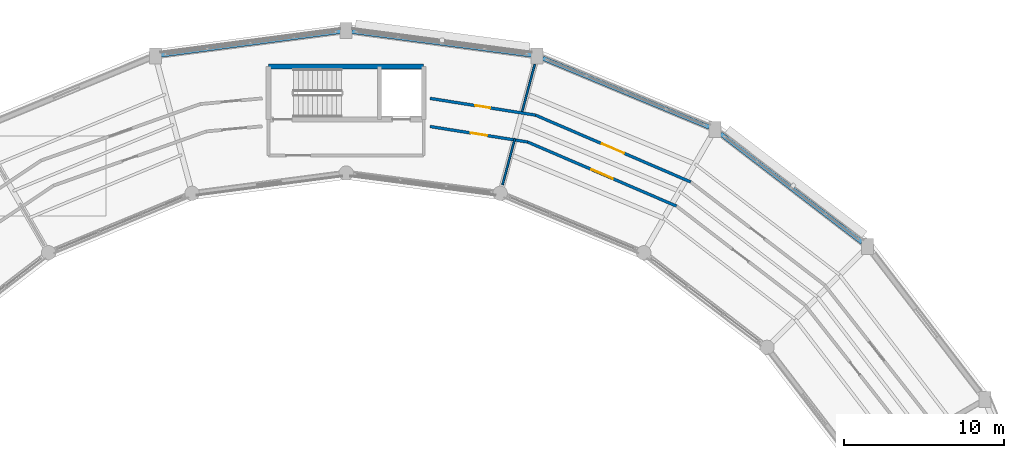
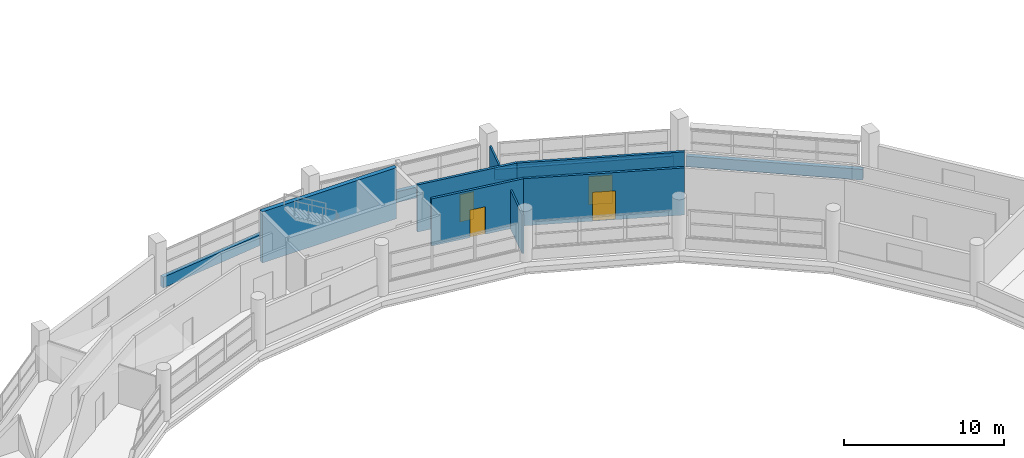
# One storey, part 95 of 108: 11 walls, 4 doors, 4 openings.
"""IFC4 building model written with IfcOpenShell, lengths in metres."""

from ifc_helpers import new_model, si_unit, direction, frame, frame_2d, origin, place, context, subcontext, project, spatial, rectangle, extrude, material, layer, layer_set, type_object, element, fill, save


model = new_model("IFC4")

# Units and contexts
model_context = context("Model", 3, precision=1e-05, world=origin(), true_north=direction((0.0, 1.0)))
body_context = subcontext(model_context, "Body", "Model", "MODEL_VIEW")
ifc_project = project(units=[si_unit("LENGTHUNIT", "METRE"), si_unit("AREAUNIT", "SQUARE_METRE"), si_unit("VOLUMEUNIT", "CUBIC_METRE"), si_unit("PLANEANGLEUNIT", "RADIAN"), si_unit("MASSUNIT", "GRAM", prefix="KILO")], contexts=[model_context])

# Site, building, storey
site_placement = place(None, origin())
site = spatial("IfcSite", under=ifc_project, at=site_placement, CompositionType="ELEMENT")
building_placement = place(site_placement, origin())
building = spatial("IfcBuilding", under=site, at=building_placement, Name="Vespera Passage Community Centre", CompositionType="ELEMENT")
storey_placement = place(building_placement, frame((0.0, 0.0, 12.60009765625)))
storey = spatial("IfcBuildingStorey", under=building, at=storey_placement, Name="L03", CompositionType="ELEMENT", Elevation=12.60009765625)

# Wall
ifc_material_1 = material(Name="Concrete f'c 45 MPa", Category="concrete")
ifc_layer_1 = layer(ifc_material_1, 0.300048828125)
ifc_layer_set_1 = layer_set([ifc_layer_1], Name="Concrete f'c 45 MPa")
wall_type_1 = type_object("IfcWallType", Name="WT-CORE-300I", PredefinedType="SHEAR", material=ifc_layer_set_1)
wall_1_placement = place(storey_placement, frame((73.155029296875, 109.35009765625, 0.0), z_axis=(0.0, 0.0, 1.0), x_axis=(1.0, 0.0, 0.0)))
element("IfcWall", 1, at=wall_1_placement, inside=storey, type_object=wall_type_1, Name="Core C4 L03 Shear Wall BACK", PredefinedType="SHEAR", context=body_context, shape_type="SweptSolid", body=[
    extrude(rectangle(XDim=9.68994140625, YDim=0.300048828125, at=frame_2d((4.844970703125, 0.0))), origin(), (0.0, 0.0, 1.0), 3.89990234375),
])

# Wall, opening, door
ifc_material_2 = material(Name="Gypsum board acoustic stud partition")
ifc_layer_2 = layer(ifc_material_2, 0.179931640625)
ifc_layer_set_2 = layer_set([ifc_layer_2], Name="Gypsum board acoustic stud partition")
wall_type_2 = type_object("IfcWallType", Name="WT-CORR-180I", PredefinedType="PARTITIONING", material=ifc_layer_set_2)
wall_2_placement = place(storey_placement, frame((99.534912109375, 102.14013671875, 0.0), z_axis=(0.0, 0.0, 1.0), x_axis=(-0.918408223104, 0.395634093241, 0.0)))
wall_2 = element("IfcWall", 2, at=wall_2_placement, inside=storey, type_object=wall_type_2, Name="L03 Interior Partition V4-L03-CO03.1", PredefinedType="PARTITIONING", context=body_context, shape_type="SweptSolid", body=[
    extrude(rectangle(XDim=10.563232421875, YDim=0.179931640625, at=frame_2d((5.28173828125, 0.0))), origin(), (0.0, 0.0, 1.0), 3.594970703125),
])
opening_1_placement = place(wall_2_placement, frame((4.53173828125, 0.0, 0.0)))
opening_1 = element("IfcOpeningElement", 3, at=opening_1_placement, cuts=wall_2, Name="Opening DT-CORR-150", PredefinedType="OPENING", context=body_context, shape_type="SweptSolid", body=[
    extrude(rectangle(XDim=1.5, YDim=2.14990234375, at=frame_2d((0.75, 1.074951171875))), frame((0.0, 0.099853515625, 0.0), z_axis=(0.0, -1.0, 0.0), x_axis=(1.0, 0.0, 0.0)), (0.0, 0.0, 1.0), 0.199951171875),
])
ifc_material_3 = material(Name="Painted hollow-metal acoustic door", Category="steel")
door_type_1 = type_object("IfcDoorType", Name="DT-CORR-150", OperationType="NOTDEFINED", PredefinedType="DOOR", material=ifc_material_3)
door_1_placement = place(opening_1_placement, origin())
door_1 = element("IfcDoor", 4, at=door_1_placement, inside=storey, type_object=door_type_1, Name="L03 Interior Door D-226", OperationType="SINGLE_SWING_RIGHT", OverallHeight=2.14990234375, OverallWidth=1.5, PredefinedType="DOOR", context=body_context, shape_type="SweptSolid", body=[
    extrude(rectangle(XDim=1.5, YDim=2.14990234375, at=frame_2d((0.75, 1.074951171875))), frame((0.0, 0.02490234375, 0.0), z_axis=(0.0, -1.0, 0.0), x_axis=(1.0, 0.0, 0.0)), (0.0, 0.0, 1.0), 0.050048828125),
])
fill(opening_1, door_1)

wall_3_placement = place(storey_placement, frame((98.648193359375, 100.63134765625, 0.0), z_axis=(0.0, 0.0, 1.0), x_axis=(-0.918401566602, 0.395649545004, 0.0)))
wall_3 = element("IfcWall", 5, at=wall_3_placement, inside=storey, type_object=wall_type_2, Name="L03 Interior Partition V4-L03-CI03.1", PredefinedType="PARTITIONING", context=body_context, shape_type="SweptSolid", body=[
    extrude(rectangle(XDim=10.12841796875, YDim=0.179931640625, at=frame_2d((5.064208984375, 0.0))), origin(), (0.0, 0.0, 1.0), 3.594970703125),
])
opening_2_placement = place(wall_3_placement, frame((4.339111328125, 0.0, 0.0)))
opening_2 = element("IfcOpeningElement", 6, at=opening_2_placement, cuts=wall_3, Name="Opening DT-PLANT-145", PredefinedType="OPENING", context=body_context, shape_type="SweptSolid", body=[
    extrude(rectangle(XDim=1.449951171875, YDim=2.199951171875, at=frame_2d((0.72509765625, 1.10009765625))), frame((0.0, 0.099853515625, 0.0), z_axis=(0.0, -1.0, 0.0), x_axis=(1.0, 0.0, 0.0)), (0.0, 0.0, 1.0), 0.199951171875),
])
ifc_material_4 = material(Name="Painted hollow-metal acoustic door", Category="steel")
door_type_2 = type_object("IfcDoorType", Name="DT-PLANT-145", OperationType="NOTDEFINED", PredefinedType="DOOR", material=ifc_material_4)
door_2_placement = place(opening_2_placement, origin())
door_2 = element("IfcDoor", 7, at=door_2_placement, inside=storey, type_object=door_type_2, Name="L03 Interior Door D-227", OperationType="SINGLE_SWING_LEFT", OverallHeight=2.199951171875, OverallWidth=1.449951171875, PredefinedType="DOOR", context=body_context, shape_type="SweptSolid", body=[
    extrude(rectangle(XDim=1.449951171875, YDim=2.199951171875, at=frame_2d((0.72509765625, 1.10009765625))), frame((0.0, 0.02490234375, 0.0), z_axis=(0.0, -1.0, 0.0), x_axis=(1.0, 0.0, 0.0)), (0.0, 0.0, 1.0), 0.050048828125),
])
fill(opening_2, door_2)

wall_4_placement = place(storey_placement, frame((89.83349609375, 106.3193359375, 0.0), z_axis=(0.0, 0.0, 1.0), x_axis=(-0.987609972019, 0.156928465131, 0.0)))
wall_4 = element("IfcWall", 8, at=wall_4_placement, inside=storey, type_object=wall_type_2, Name="L03 Interior Partition V4-L03-CO04.1", PredefinedType="PARTITIONING", context=body_context, shape_type="SweptSolid", body=[
    extrude(rectangle(XDim=6.671142578125, YDim=0.179931640625, at=frame_2d((3.33544921875, 0.0))), origin(), (0.0, 0.0, 1.0), 3.594970703125),
])
opening_3_placement = place(wall_4_placement, frame((2.860595703125, 0.0, 0.0)))
opening_3 = element("IfcOpeningElement", 9, at=opening_3_placement, cuts=wall_4, Name="Opening DT-CORR-95", PredefinedType="OPENING", context=body_context, shape_type="SweptSolid", body=[
    extrude(rectangle(XDim=0.949951171875, YDim=2.10009765625, at=frame_2d((0.47509765625, 1.050048828125))), frame((0.0, 0.099853515625, 0.0), z_axis=(0.0, -1.0, 0.0), x_axis=(1.0, 0.0, 0.0)), (0.0, 0.0, 1.0), 0.199951171875),
])
ifc_material_5 = material(Name="Painted hollow-metal acoustic door", Category="steel")
door_type_3 = type_object("IfcDoorType", Name="DT-CORR-95", OperationType="NOTDEFINED", PredefinedType="DOOR", material=ifc_material_5)
door_3_placement = place(opening_3_placement, origin())
door_3 = element("IfcDoor", 10, at=door_3_placement, inside=storey, type_object=door_type_3, Name="L03 Interior Door D-228", OperationType="SINGLE_SWING_RIGHT", OverallHeight=2.10009765625, OverallWidth=0.949951171875, PredefinedType="DOOR", context=body_context, shape_type="SweptSolid", body=[
    extrude(rectangle(XDim=0.949951171875, YDim=2.10009765625, at=frame_2d((0.47509765625, 1.050048828125))), frame((0.0, 0.02490234375, 0.0), z_axis=(0.0, -1.0, 0.0), x_axis=(1.0, 0.0, 0.0)), (0.0, 0.0, 1.0), 0.050048828125),
])
fill(opening_3, door_3)

wall_5_placement = place(storey_placement, frame((89.34619140625, 104.638671875, 0.0), z_axis=(0.0, 0.0, 1.0), x_axis=(-0.987615123726, 0.156896040064, 0.0)))
wall_5 = element("IfcWall", 11, at=wall_5_placement, inside=storey, type_object=wall_type_2, Name="L03 Interior Partition V4-L03-CI04.1", PredefinedType="PARTITIONING", context=body_context, shape_type="SweptSolid", body=[
    extrude(rectangle(XDim=6.177490234375, YDim=0.179931640625, at=frame_2d((3.0888671875, 0.0))), origin(), (0.0, 0.0, 1.0), 3.594970703125),
])
opening_4_placement = place(wall_5_placement, frame((2.563720703125, 0.0, 0.0)))
opening_4 = element("IfcOpeningElement", 12, at=opening_4_placement, cuts=wall_5, Name="Opening DT-CORR-105", PredefinedType="OPENING", context=body_context, shape_type="SweptSolid", body=[
    extrude(rectangle(XDim=1.050048828125, YDim=2.10009765625, at=frame_2d((0.52490234375, 1.050048828125))), frame((0.0, 0.099853515625, 0.0), z_axis=(0.0, -1.0, 0.0), x_axis=(1.0, 0.0, 0.0)), (0.0, 0.0, 1.0), 0.199951171875),
])
ifc_material_6 = material(Name="Painted hollow-metal acoustic door", Category="steel")
door_type_4 = type_object("IfcDoorType", Name="DT-CORR-105", OperationType="NOTDEFINED", PredefinedType="DOOR", material=ifc_material_6)
door_4_placement = place(opening_4_placement, origin())
door_4 = element("IfcDoor", 13, at=door_4_placement, inside=storey, type_object=door_type_4, Name="L03 Interior Door D-229", OperationType="SINGLE_SWING_LEFT", OverallHeight=2.10009765625, OverallWidth=1.050048828125, PredefinedType="DOOR", context=body_context, shape_type="SweptSolid", body=[
    extrude(rectangle(XDim=1.050048828125, YDim=2.10009765625, at=frame_2d((0.52490234375, 1.050048828125))), frame((0.0, 0.02490234375, 0.0), z_axis=(0.0, -1.0, 0.0), x_axis=(1.0, 0.0, 0.0)), (0.0, 0.0, 1.0), 0.050048828125),
])
fill(opening_4, door_4)

# Walls
ifc_material_7 = material(Name="Precast concrete f'c 40 MPa", Category="concrete")
ifc_layer_3 = layer(ifc_material_7, 0.280029296875)
ifc_layer_set_3 = layer_set([ifc_layer_3], Name="Precast concrete f'c 40 MPa")
wall_type_3 = type_object("IfcWallType", Name="WT-EXT-280E", PredefinedType="STANDARD", material=ifc_layer_set_3)
wall_6_placement = place(storey_placement, frame((101.4052734375, 105.1513671875, 0.0), z_axis=(0.0, 0.0, 1.0), x_axis=(0.793342066679, -0.608776120785, 0.0)))
element("IfcWall", 14, at=wall_6_placement, inside=storey, type_object=wall_type_3, Name="V4 L03 Spandrel Wall O3", PredefinedType="STANDARD", context=body_context, shape_type="SweptSolid", body=[
    extrude(rectangle(XDim=11.13916015625, YDim=0.280029296875, at=frame_2d((5.569580078125, 0.0))), origin(), (0.0, 0.0, 1.0), 0.81982421875),
])
wall_7_placement = place(storey_placement, frame((90.283447265625, 109.88330078125, 0.0), z_axis=(0.0, 0.0, 1.0), x_axis=(0.923883530636, -0.382673779896, 0.0)))
element("IfcWall", 15, at=wall_7_placement, inside=storey, type_object=wall_type_3, Name="V4 L03 Spandrel Wall O4", PredefinedType="STANDARD", context=body_context, shape_type="SweptSolid", body=[
    extrude(rectangle(XDim=11.2724609375, YDim=0.280029296875, at=frame_2d((5.63623046875, 0.0))), origin(), (0.0, 0.0, 1.0), 0.81982421875),
])
for number, where, z_axis, x_axis, name in (
    (16, (78.35009765625, 111.553955078125, 0.0), (0.0, 0.0, 1.0), (0.991443215359, -0.130538694334, 0.0), "V4 L03 Spandrel Wall O5"),
    (17, (66.418701171875, 110.0751953125, 0.0), (0.0, 0.0, 1.0), (0.991443215359, 0.130538694334, 0.0), "V4 L03 Spandrel Wall O6"),
):
    element("IfcWall", number, at=place(storey_placement, frame(where, z_axis=z_axis, x_axis=x_axis)), inside=storey, type_object=wall_type_3, Name=name, PredefinedType="STANDARD", context=body_context, shape_type="SweptSolid", body=[
        extrude(rectangle(XDim=11.328125, YDim=0.280029296875, at=frame_2d((5.6640625, 0.0))), origin(), (0.0, 0.0, 1.0), 0.81982421875),
    ])
ifc_material_8 = material(Name="Moisture-resistant gypsum stud partition")
ifc_layer_4 = layer(ifc_material_8, 0.1201171875)
ifc_layer_set_4 = layer_set([ifc_layer_4], Name="Moisture-resistant gypsum stud partition")
wall_type_4 = type_object("IfcWallType", Name="WT-WET-120I", PredefinedType="PARTITIONING", material=ifc_layer_set_4)
wall_8_placement = place(storey_placement, frame((88.999755859375, 106.5517578125, 0.0), z_axis=(0.0, 0.0, 1.0), x_axis=(0.258868119081, 0.96591267562, 0.0)))
element("IfcWall", 18, at=wall_8_placement, inside=storey, type_object=wall_type_4, Name="L03 Interior Partition V4-L03-RO09-1.1", PredefinedType="PARTITIONING", context=body_context, shape_type="SweptSolid", body=[
    extrude(rectangle(XDim=3.050048828125, YDim=0.1201171875, at=frame_2d((1.52490234375, 0.0))), origin(), (0.0, 0.0, 1.0), 2.95654296875),
])
wall_9_placement = place(storey_placement, frame((87.7705078125, 101.963623046875, 0.0), z_axis=(0.0, 0.0, 1.0), x_axis=(0.258776761059, 0.965937155273, 0.0)))
element("IfcWall", 19, at=wall_9_placement, inside=storey, type_object=wall_type_4, Name="L03 Interior Partition V4-L03-RI09-1.1", PredefinedType="PARTITIONING", context=body_context, shape_type="SweptSolid", body=[
    extrude(rectangle(XDim=3.000244140625, YDim=0.1201171875, at=frame_2d((1.5, 0.0))), origin(), (0.0, 0.0, 1.0), 2.95654296875),
])

save(model, "model.ifc")
